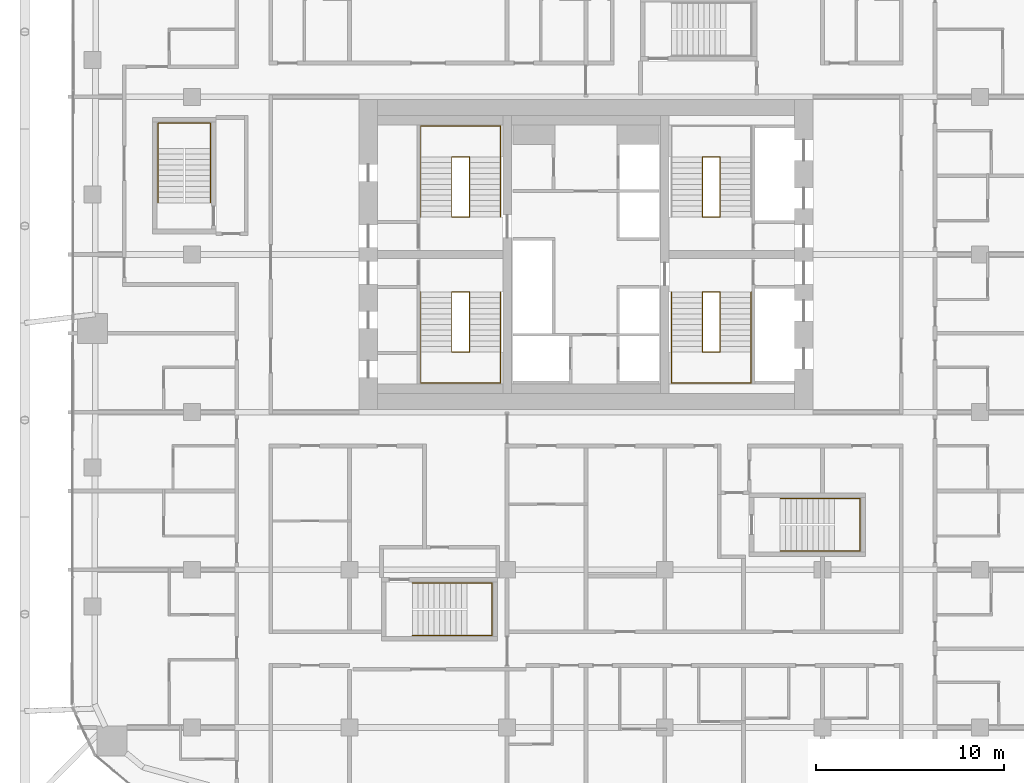
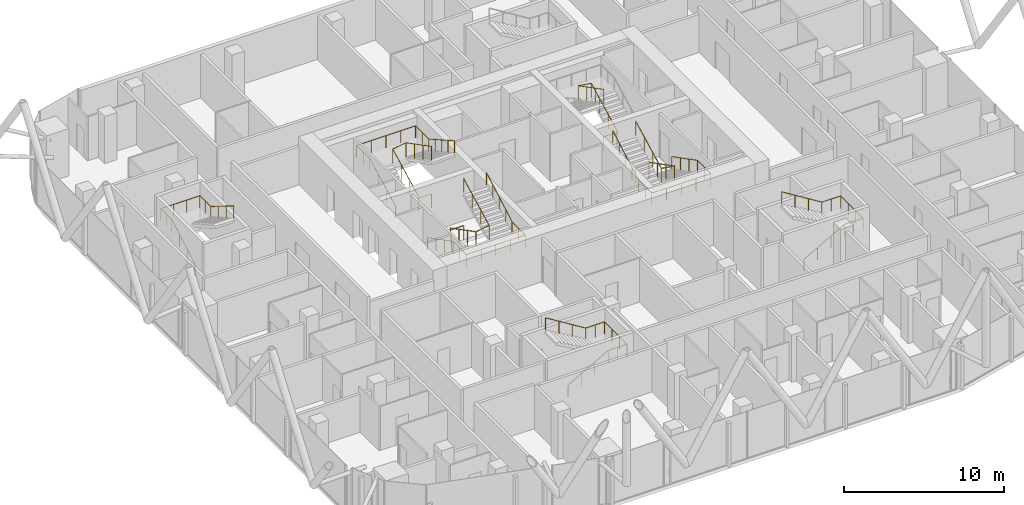
# One storey, part 35 of 36: 10 railings.
"""IFC4 building model written with IfcOpenShell, lengths in metres."""

from ifc_helpers import new_model, si_unit, direction, frame, origin, origin_2d, place, context, subcontext, project, spatial, circle, extrude, material, type_object, element, save


model = new_model("IFC4")

# Units and contexts
model_context = context("Model", 3, precision=1e-05, world=origin(), true_north=direction((0.0, 1.0)))
body_context = subcontext(model_context, "Body", "Model", "MODEL_VIEW")
ifc_project = project(units=[si_unit("LENGTHUNIT", "METRE"), si_unit("AREAUNIT", "SQUARE_METRE"), si_unit("VOLUMEUNIT", "CUBIC_METRE"), si_unit("PLANEANGLEUNIT", "RADIAN"), si_unit("MASSUNIT", "GRAM", prefix="KILO")], contexts=[model_context])

# Site, building, storey
site_placement = place(None, origin())
site = spatial("IfcSite", under=ifc_project, at=site_placement, CompositionType="ELEMENT")
building_placement = place(site_placement, origin())
building = spatial("IfcBuilding", under=site, at=building_placement, Name="Marenta Gate Hotel Tower", CompositionType="ELEMENT")
storey_placement = place(building_placement, frame((0.0, 0.0, 144.5)))
storey = spatial("IfcBuildingStorey", under=building, at=storey_placement, Name="L33", CompositionType="ELEMENT", Elevation=144.5)

# Railings
ifc_material_1 = material(Name="Stainless steel", Category="steel")
railing_type_1 = type_object("IfcRailingType", Name="Core stair handrail 950", PredefinedType="HANDRAIL", material=ifc_material_1)
railing_1_placement = place(storey_placement, frame((-8.800048828125, 6.39990234375, 0.14990234375)))
element("IfcRailing", 1, at=railing_1_placement, inside=storey, type_object=railing_type_1, Name="HR-950 L33-KR-ST1-1", PredefinedType="HANDRAIL", context=body_context, shape_type="SweptSolid", body=[
    extrude(circle(Radius=0.02392578125, at=origin_2d()), frame((0.0, 0.0, 0.92578125), z_axis=(0.0, -0.888197555067, 0.459461753765), x_axis=(1.0, 0.0, 0.0)), (0.0, 0.0, 1.0), 3.591552734375),
    extrude(circle(Radius=0.02392578125, at=origin_2d()), frame((0.0, -3.18994140625, 2.576171875), z_axis=(0.0, -1.0, 0.0), x_axis=(1.0, 0.0, 0.0)), (0.0, 0.0, 1.0), 1.659912109375),
    extrude(circle(Radius=0.02392578125, at=origin_2d()), frame((0.0, -4.849853515625, 2.576171875), z_axis=(1.0, 0.0, 0.0), x_axis=(0.0, 1.0, 0.0)), (0.0, 0.0, 1.0), 4.25),
    extrude(circle(Radius=0.02392578125, at=origin_2d()), frame((4.25, -4.849853515625, 2.576171875), z_axis=(0.0, 1.0, 0.0), x_axis=(-1.0, 0.0, 0.0)), (0.0, 0.0, 1.0), 1.659912109375),
    extrude(circle(Radius=0.02392578125, at=origin_2d()), frame((4.25, -3.18994140625, 2.576171875), z_axis=(0.0, 0.87090897868, 0.491444351738), x_axis=(-1.0, 0.0, 0.0)), (0.0, 0.0, 1.0), 3.662841796875),
    extrude(circle(Radius=0.02099609375, at=origin_2d()), origin(), (0.0, 0.0, 1.0), 0.90185546875),
    extrude(circle(Radius=0.02099609375, at=origin_2d()), frame((0.0, -1.063232421875, 0.550048828125)), (0.0, 0.0, 1.0), 0.90185546875),
    extrude(circle(Radius=0.02099609375, at=origin_2d()), frame((0.0, -2.126708984375, 1.10009765625)), (0.0, 0.0, 1.0), 0.90185546875),
    extrude(circle(Radius=0.02099609375, at=origin_2d()), frame((0.0, -3.18994140625, 1.650146484375)), (0.0, 0.0, 1.0), 0.90185546875),
    extrude(circle(Radius=0.02099609375, at=origin_2d()), frame((0.0, -4.02001953125, 1.650146484375)), (0.0, 0.0, 1.0), 0.90185546875),
    extrude(circle(Radius=0.02099609375, at=origin_2d()), frame((0.0, -4.849853515625, 1.650146484375)), (0.0, 0.0, 1.0), 0.90185546875),
    extrude(circle(Radius=0.02099609375, at=origin_2d()), frame((1.0625, -4.849853515625, 1.650146484375)), (0.0, 0.0, 1.0), 0.90185546875),
    extrude(circle(Radius=0.02099609375, at=origin_2d()), frame((2.125, -4.849853515625, 1.650146484375)), (0.0, 0.0, 1.0), 0.90185546875),
    extrude(circle(Radius=0.02099609375, at=origin_2d()), frame((3.1875, -4.849853515625, 1.650146484375)), (0.0, 0.0, 1.0), 0.90185546875),
    extrude(circle(Radius=0.02099609375, at=origin_2d()), frame((4.25, -4.849853515625, 1.650146484375)), (0.0, 0.0, 1.0), 0.90185546875),
    extrude(circle(Radius=0.02099609375, at=origin_2d()), frame((4.25, -4.02001953125, 1.650146484375)), (0.0, 0.0, 1.0), 0.90185546875),
    extrude(circle(Radius=0.02099609375, at=origin_2d()), frame((4.25, -3.18994140625, 1.650146484375)), (0.0, 0.0, 1.0), 0.90185546875),
    extrude(circle(Radius=0.02099609375, at=origin_2d()), frame((4.25, -2.392578125, 2.10009765625)), (0.0, 0.0, 1.0), 0.90185546875),
    extrude(circle(Radius=0.02099609375, at=origin_2d()), frame((4.25, -1.594970703125, 2.55029296875)), (0.0, 0.0, 1.0), 0.90185546875),
    extrude(circle(Radius=0.02099609375, at=origin_2d()), frame((4.25, -0.79736328125, 3.000244140625)), (0.0, 0.0, 1.0), 0.90185546875),
    extrude(circle(Radius=0.02099609375, at=origin_2d()), frame((4.25, 0.0, 3.4501953125)), (0.0, 0.0, 1.0), 0.90185546875),
])
railing_2_placement = place(storey_placement, frame((-8.800048828125, 10.39990234375, 0.14990234375)))
element("IfcRailing", 2, at=railing_2_placement, inside=storey, type_object=railing_type_1, Name="HR-950 L33-KR-ST2-1", PredefinedType="HANDRAIL", context=body_context, shape_type="SweptSolid", body=[
    extrude(circle(Radius=0.02392578125, at=origin_2d()), frame((0.0, 0.0, 0.92578125), z_axis=(0.0, 0.888211904222, 0.459434013977), x_axis=(-1.0, 0.0, 0.0)), (0.0, 0.0, 1.0), 3.591796875),
    extrude(circle(Radius=0.02392578125, at=origin_2d()), frame((0.0, 3.190185546875, 2.576171875), z_axis=(0.0, 1.0, 0.0), x_axis=(-1.0, 0.0, 0.0)), (0.0, 0.0, 1.0), 1.659912109375),
    extrude(circle(Radius=0.02392578125, at=origin_2d()), frame((0.0, 4.85009765625, 2.576171875), z_axis=(1.0, 0.0, 0.0), x_axis=(0.0, 1.0, 0.0)), (0.0, 0.0, 1.0), 4.25),
    extrude(circle(Radius=0.02392578125, at=origin_2d()), frame((4.25, 4.85009765625, 2.576171875), z_axis=(0.0, -1.0, 0.0), x_axis=(1.0, 0.0, 0.0)), (0.0, 0.0, 1.0), 1.659912109375),
    extrude(circle(Radius=0.02392578125, at=origin_2d()), frame((4.25, 3.190185546875, 2.576171875), z_axis=(0.0, -0.870925075533, 0.491415824742), x_axis=(1.0, 0.0, 0.0)), (0.0, 0.0, 1.0), 3.6630859375),
    extrude(circle(Radius=0.02099609375, at=origin_2d()), origin(), (0.0, 0.0, 1.0), 0.90185546875),
    extrude(circle(Radius=0.02099609375, at=origin_2d()), frame((0.0, 1.0634765625, 0.550048828125)), (0.0, 0.0, 1.0), 0.90185546875),
    extrude(circle(Radius=0.02099609375, at=origin_2d()), frame((0.0, 2.126708984375, 1.10009765625)), (0.0, 0.0, 1.0), 0.90185546875),
    extrude(circle(Radius=0.02099609375, at=origin_2d()), frame((0.0, 3.190185546875, 1.650146484375)), (0.0, 0.0, 1.0), 0.90185546875),
    extrude(circle(Radius=0.02099609375, at=origin_2d()), frame((0.0, 4.02001953125, 1.650146484375)), (0.0, 0.0, 1.0), 0.90185546875),
    extrude(circle(Radius=0.02099609375, at=origin_2d()), frame((0.0, 4.85009765625, 1.650146484375)), (0.0, 0.0, 1.0), 0.90185546875),
    extrude(circle(Radius=0.02099609375, at=origin_2d()), frame((1.0625, 4.85009765625, 1.650146484375)), (0.0, 0.0, 1.0), 0.90185546875),
    extrude(circle(Radius=0.02099609375, at=origin_2d()), frame((2.125, 4.85009765625, 1.650146484375)), (0.0, 0.0, 1.0), 0.90185546875),
    extrude(circle(Radius=0.02099609375, at=origin_2d()), frame((3.1875, 4.85009765625, 1.650146484375)), (0.0, 0.0, 1.0), 0.90185546875),
    extrude(circle(Radius=0.02099609375, at=origin_2d()), frame((4.25, 4.85009765625, 1.650146484375)), (0.0, 0.0, 1.0), 0.90185546875),
    extrude(circle(Radius=0.02099609375, at=origin_2d()), frame((4.25, 4.02001953125, 1.650146484375)), (0.0, 0.0, 1.0), 0.90185546875),
    extrude(circle(Radius=0.02099609375, at=origin_2d()), frame((4.25, 3.190185546875, 1.650146484375)), (0.0, 0.0, 1.0), 0.90185546875),
    extrude(circle(Radius=0.02099609375, at=origin_2d()), frame((4.25, 2.392578125, 2.10009765625)), (0.0, 0.0, 1.0), 0.90185546875),
    extrude(circle(Radius=0.02099609375, at=origin_2d()), frame((4.25, 1.59521484375, 2.55029296875)), (0.0, 0.0, 1.0), 0.90185546875),
    extrude(circle(Radius=0.02099609375, at=origin_2d()), frame((4.25, 0.797607421875, 3.000244140625)), (0.0, 0.0, 1.0), 0.90185546875),
    extrude(circle(Radius=0.02099609375, at=origin_2d()), frame((4.25, 0.0, 3.4501953125)), (0.0, 0.0, 1.0), 0.90185546875),
])
railing_3_placement = place(storey_placement, frame((8.800048828125, 6.39990234375, 0.14990234375)))
element("IfcRailing", 3, at=railing_3_placement, inside=storey, type_object=railing_type_1, Name="HR-950 L33-KR-ST3-1", PredefinedType="HANDRAIL", context=body_context, shape_type="SweptSolid", body=[
    extrude(circle(Radius=0.02392578125, at=origin_2d()), frame((0.0, 0.0, 0.92578125), z_axis=(0.0, -0.888197555067, 0.459461753765), x_axis=(1.0, 0.0, 0.0)), (0.0, 0.0, 1.0), 3.591552734375),
    extrude(circle(Radius=0.02392578125, at=origin_2d()), frame((0.0, -3.18994140625, 2.576171875), z_axis=(0.0, -1.0, 0.0), x_axis=(1.0, 0.0, 0.0)), (0.0, 0.0, 1.0), 1.659912109375),
    extrude(circle(Radius=0.02392578125, at=origin_2d()), frame((0.0, -4.849853515625, 2.576171875), z_axis=(-1.0, 0.0, 0.0), x_axis=(0.0, -1.0, 0.0)), (0.0, 0.0, 1.0), 4.25),
    extrude(circle(Radius=0.02392578125, at=origin_2d()), frame((-4.25, -4.849853515625, 2.576171875), z_axis=(0.0, 1.0, 0.0), x_axis=(-1.0, 0.0, 0.0)), (0.0, 0.0, 1.0), 1.659912109375),
    extrude(circle(Radius=0.02392578125, at=origin_2d()), frame((-4.25, -3.18994140625, 2.576171875), z_axis=(0.0, 0.87090897868, 0.491444351738), x_axis=(-1.0, 0.0, 0.0)), (0.0, 0.0, 1.0), 3.662841796875),
    extrude(circle(Radius=0.02099609375, at=origin_2d()), origin(), (0.0, 0.0, 1.0), 0.90185546875),
    extrude(circle(Radius=0.02099609375, at=origin_2d()), frame((0.0, -1.063232421875, 0.550048828125)), (0.0, 0.0, 1.0), 0.90185546875),
    extrude(circle(Radius=0.02099609375, at=origin_2d()), frame((0.0, -2.126708984375, 1.10009765625)), (0.0, 0.0, 1.0), 0.90185546875),
    extrude(circle(Radius=0.02099609375, at=origin_2d()), frame((0.0, -3.18994140625, 1.650146484375)), (0.0, 0.0, 1.0), 0.90185546875),
    extrude(circle(Radius=0.02099609375, at=origin_2d()), frame((0.0, -4.02001953125, 1.650146484375)), (0.0, 0.0, 1.0), 0.90185546875),
    extrude(circle(Radius=0.02099609375, at=origin_2d()), frame((0.0, -4.849853515625, 1.650146484375)), (0.0, 0.0, 1.0), 0.90185546875),
    extrude(circle(Radius=0.02099609375, at=origin_2d()), frame((-1.0625, -4.849853515625, 1.650146484375)), (0.0, 0.0, 1.0), 0.90185546875),
    extrude(circle(Radius=0.02099609375, at=origin_2d()), frame((-2.125, -4.849853515625, 1.650146484375)), (0.0, 0.0, 1.0), 0.90185546875),
    extrude(circle(Radius=0.02099609375, at=origin_2d()), frame((-3.1875, -4.849853515625, 1.650146484375)), (0.0, 0.0, 1.0), 0.90185546875),
    extrude(circle(Radius=0.02099609375, at=origin_2d()), frame((-4.25, -4.849853515625, 1.650146484375)), (0.0, 0.0, 1.0), 0.90185546875),
    extrude(circle(Radius=0.02099609375, at=origin_2d()), frame((-4.25, -4.02001953125, 1.650146484375)), (0.0, 0.0, 1.0), 0.90185546875),
    extrude(circle(Radius=0.02099609375, at=origin_2d()), frame((-4.25, -3.18994140625, 1.650146484375)), (0.0, 0.0, 1.0), 0.90185546875),
    extrude(circle(Radius=0.02099609375, at=origin_2d()), frame((-4.25, -2.392578125, 2.10009765625)), (0.0, 0.0, 1.0), 0.90185546875),
    extrude(circle(Radius=0.02099609375, at=origin_2d()), frame((-4.25, -1.594970703125, 2.55029296875)), (0.0, 0.0, 1.0), 0.90185546875),
    extrude(circle(Radius=0.02099609375, at=origin_2d()), frame((-4.25, -0.79736328125, 3.000244140625)), (0.0, 0.0, 1.0), 0.90185546875),
    extrude(circle(Radius=0.02099609375, at=origin_2d()), frame((-4.25, 0.0, 3.4501953125)), (0.0, 0.0, 1.0), 0.90185546875),
])
railing_4_placement = place(storey_placement, frame((-22.800048828125, 11.14990234375, 0.16357421875)))
element("IfcRailing", 4, at=railing_4_placement, inside=storey, type_object=railing_type_1, Name="HR-950 L33-RS-Z1-3-KR-1", PredefinedType="HANDRAIL", context=body_context, shape_type="SweptSolid", body=[
    extrude(circle(Radius=0.02392578125, at=origin_2d()), frame((0.0, 0.0, 0.92578125), z_axis=(0.0, 0.870914908162, 0.491433843708), x_axis=(-1.0, 0.0, 0.0)), (0.0, 0.0, 1.0), 3.330078125),
    extrude(circle(Radius=0.02392578125, at=origin_2d()), frame((0.0, 2.900146484375, 2.5625), z_axis=(0.0, 1.0, 0.0), x_axis=(-1.0, 0.0, 0.0)), (0.0, 0.0, 1.0), 1.349853515625),
    extrude(circle(Radius=0.02392578125, at=origin_2d()), frame((0.0, 4.25, 2.5625), z_axis=(1.0, 0.0, 0.0), x_axis=(0.0, 1.0, 0.0)), (0.0, 0.0, 1.0), 2.800048828125),
    extrude(circle(Radius=0.02392578125, at=origin_2d()), frame((2.800048828125, 4.25, 2.5625), z_axis=(0.0, -1.0, 0.0), x_axis=(1.0, 0.0, 0.0)), (0.0, 0.0, 1.0), 1.349853515625),
    extrude(circle(Radius=0.02392578125, at=origin_2d()), frame((2.800048828125, 2.900146484375, 2.5625), z_axis=(0.0, -0.849645691689, 0.527353959494), x_axis=(1.0, 0.0, 0.0)), (0.0, 0.0, 1.0), 3.413330078125),
    extrude(circle(Radius=0.02099609375, at=origin_2d()), origin(), (0.0, 0.0, 1.0), 0.90185546875),
    extrude(circle(Radius=0.02099609375, at=origin_2d()), frame((0.0, 0.966796875, 0.54541015625)), (0.0, 0.0, 1.0), 0.90185546875),
    extrude(circle(Radius=0.02099609375, at=origin_2d()), frame((0.0, 1.933349609375, 1.091064453125)), (0.0, 0.0, 1.0), 0.90185546875),
    extrude(circle(Radius=0.02099609375, at=origin_2d()), frame((0.0, 2.900146484375, 1.636474609375)), (0.0, 0.0, 1.0), 0.90185546875),
    extrude(circle(Radius=0.02099609375, at=origin_2d()), frame((0.0, 3.5751953125, 1.636474609375)), (0.0, 0.0, 1.0), 0.90185546875),
    extrude(circle(Radius=0.02099609375, at=origin_2d()), frame((0.0, 4.25, 1.636474609375)), (0.0, 0.0, 1.0), 0.90185546875),
    extrude(circle(Radius=0.02099609375, at=origin_2d()), frame((0.933349609375, 4.25, 1.636474609375)), (0.0, 0.0, 1.0), 0.90185546875),
    extrude(circle(Radius=0.02099609375, at=origin_2d()), frame((1.86669921875, 4.25, 1.636474609375)), (0.0, 0.0, 1.0), 0.90185546875),
    extrude(circle(Radius=0.02099609375, at=origin_2d()), frame((2.800048828125, 4.25, 1.636474609375)), (0.0, 0.0, 1.0), 0.90185546875),
    extrude(circle(Radius=0.02099609375, at=origin_2d()), frame((2.800048828125, 3.5751953125, 1.636474609375)), (0.0, 0.0, 1.0), 0.90185546875),
    extrude(circle(Radius=0.02099609375, at=origin_2d()), frame((2.800048828125, 2.900146484375, 1.636474609375)), (0.0, 0.0, 1.0), 0.90185546875),
    extrude(circle(Radius=0.02099609375, at=origin_2d()), frame((2.800048828125, 1.933349609375, 2.236572265625)), (0.0, 0.0, 1.0), 0.90185546875),
    extrude(circle(Radius=0.02099609375, at=origin_2d()), frame((2.800048828125, 0.966796875, 2.83642578125)), (0.0, 0.0, 1.0), 0.90185546875),
    extrude(circle(Radius=0.02099609375, at=origin_2d()), frame((2.800048828125, 0.0, 3.4365234375)), (0.0, 0.0, 1.0), 0.90185546875),
])
railing_5_placement = place(storey_placement, frame((-9.25, -11.89990234375, 0.16357421875)))
element("IfcRailing", 5, at=railing_5_placement, inside=storey, type_object=railing_type_1, Name="HR-950 L33-RS-Z2-1-KR-1", PredefinedType="HANDRAIL", context=body_context, shape_type="SweptSolid", body=[
    extrude(circle(Radius=0.02392578125, at=origin_2d()), frame((0.0, 0.0, 0.92578125), z_axis=(0.870897200241, 0.0, 0.491465224214), x_axis=(0.0, 1.0, 0.0)), (0.0, 0.0, 1.0), 3.329833984375),
    extrude(circle(Radius=0.02392578125, at=origin_2d()), frame((2.89990234375, 0.0, 2.5625), z_axis=(1.0, 0.0, 0.0), x_axis=(0.0, 1.0, 0.0)), (0.0, 0.0, 1.0), 1.35009765625),
    extrude(circle(Radius=0.02392578125, at=origin_2d()), frame((4.25, 0.0, 2.5625), z_axis=(0.0, 1.0, 0.0), x_axis=(-1.0, 0.0, 0.0)), (0.0, 0.0, 1.0), 2.7998046875),
    extrude(circle(Radius=0.02392578125, at=origin_2d()), frame((4.25, 2.7998046875, 2.5625), z_axis=(-1.0, 0.0, 0.0), x_axis=(0.0, -1.0, 0.0)), (0.0, 0.0, 1.0), 1.35009765625),
    extrude(circle(Radius=0.02392578125, at=origin_2d()), frame((2.89990234375, 2.7998046875, 2.5625), z_axis=(-0.849625798611, 0.0, 0.527386008853), x_axis=(0.0, -1.0, 0.0)), (0.0, 0.0, 1.0), 3.4130859375),
    extrude(circle(Radius=0.02099609375, at=origin_2d()), origin(), (0.0, 0.0, 1.0), 0.90185546875),
    extrude(circle(Radius=0.02099609375, at=origin_2d()), frame((0.966552734375, 0.0, 0.54541015625)), (0.0, 0.0, 1.0), 0.90185546875),
    extrude(circle(Radius=0.02099609375, at=origin_2d()), frame((1.933349609375, 0.0, 1.091064453125)), (0.0, 0.0, 1.0), 0.90185546875),
    extrude(circle(Radius=0.02099609375, at=origin_2d()), frame((2.89990234375, 0.0, 1.636474609375)), (0.0, 0.0, 1.0), 0.90185546875),
    extrude(circle(Radius=0.02099609375, at=origin_2d()), frame((3.574951171875, 0.0, 1.636474609375)), (0.0, 0.0, 1.0), 0.90185546875),
    extrude(circle(Radius=0.02099609375, at=origin_2d()), frame((4.25, 0.0, 1.636474609375)), (0.0, 0.0, 1.0), 0.90185546875),
    extrude(circle(Radius=0.02099609375, at=origin_2d()), frame((4.25, 0.933349609375, 1.636474609375)), (0.0, 0.0, 1.0), 0.90185546875),
    extrude(circle(Radius=0.02099609375, at=origin_2d()), frame((4.25, 1.866455078125, 1.636474609375)), (0.0, 0.0, 1.0), 0.90185546875),
    extrude(circle(Radius=0.02099609375, at=origin_2d()), frame((4.25, 2.7998046875, 1.636474609375)), (0.0, 0.0, 1.0), 0.90185546875),
    extrude(circle(Radius=0.02099609375, at=origin_2d()), frame((3.574951171875, 2.7998046875, 1.636474609375)), (0.0, 0.0, 1.0), 0.90185546875),
    extrude(circle(Radius=0.02099609375, at=origin_2d()), frame((2.89990234375, 2.7998046875, 1.636474609375)), (0.0, 0.0, 1.0), 0.90185546875),
    extrude(circle(Radius=0.02099609375, at=origin_2d()), frame((1.933349609375, 2.7998046875, 2.236572265625)), (0.0, 0.0, 1.0), 0.90185546875),
    extrude(circle(Radius=0.02099609375, at=origin_2d()), frame((0.966552734375, 2.7998046875, 2.83642578125)), (0.0, 0.0, 1.0), 0.90185546875),
    extrude(circle(Radius=0.02099609375, at=origin_2d()), frame((0.0, 2.7998046875, 3.4365234375)), (0.0, 0.0, 1.0), 0.90185546875),
])
railing_6_placement = place(storey_placement, frame((10.35009765625, -7.39990234375, 0.16357421875)))
element("IfcRailing", 6, at=railing_6_placement, inside=storey, type_object=railing_type_1, Name="HR-950 L33-RS-Z2-2-KR-1", PredefinedType="HANDRAIL", context=body_context, shape_type="SweptSolid", body=[
    extrude(circle(Radius=0.02392578125, at=origin_2d()), frame((0.0, 0.0, 0.92578125), z_axis=(0.870897200241, 0.0, 0.491465224214), x_axis=(0.0, 1.0, 0.0)), (0.0, 0.0, 1.0), 3.329833984375),
    extrude(circle(Radius=0.02392578125, at=origin_2d()), frame((2.89990234375, 0.0, 2.5625), z_axis=(1.0, 0.0, 0.0), x_axis=(0.0, 1.0, 0.0)), (0.0, 0.0, 1.0), 1.35009765625),
    extrude(circle(Radius=0.02392578125, at=origin_2d()), frame((4.25, 0.0, 2.5625), z_axis=(0.0, 1.0, 0.0), x_axis=(-1.0, 0.0, 0.0)), (0.0, 0.0, 1.0), 2.7998046875),
    extrude(circle(Radius=0.02392578125, at=origin_2d()), frame((4.25, 2.7998046875, 2.5625), z_axis=(-1.0, 0.0, 0.0), x_axis=(0.0, -1.0, 0.0)), (0.0, 0.0, 1.0), 1.35009765625),
    extrude(circle(Radius=0.02392578125, at=origin_2d()), frame((2.89990234375, 2.7998046875, 2.5625), z_axis=(-0.849625798611, 0.0, 0.527386008853), x_axis=(0.0, -1.0, 0.0)), (0.0, 0.0, 1.0), 3.4130859375),
    extrude(circle(Radius=0.02099609375, at=origin_2d()), origin(), (0.0, 0.0, 1.0), 0.90185546875),
    extrude(circle(Radius=0.02099609375, at=origin_2d()), frame((0.966552734375, 0.0, 0.54541015625)), (0.0, 0.0, 1.0), 0.90185546875),
    extrude(circle(Radius=0.02099609375, at=origin_2d()), frame((1.933349609375, 0.0, 1.091064453125)), (0.0, 0.0, 1.0), 0.90185546875),
    extrude(circle(Radius=0.02099609375, at=origin_2d()), frame((2.89990234375, 0.0, 1.636474609375)), (0.0, 0.0, 1.0), 0.90185546875),
    extrude(circle(Radius=0.02099609375, at=origin_2d()), frame((3.574951171875, 0.0, 1.636474609375)), (0.0, 0.0, 1.0), 0.90185546875),
    extrude(circle(Radius=0.02099609375, at=origin_2d()), frame((4.25, 0.0, 1.636474609375)), (0.0, 0.0, 1.0), 0.90185546875),
    extrude(circle(Radius=0.02099609375, at=origin_2d()), frame((4.25, 0.933349609375, 1.636474609375)), (0.0, 0.0, 1.0), 0.90185546875),
    extrude(circle(Radius=0.02099609375, at=origin_2d()), frame((4.25, 1.866455078125, 1.636474609375)), (0.0, 0.0, 1.0), 0.90185546875),
    extrude(circle(Radius=0.02099609375, at=origin_2d()), frame((4.25, 2.7998046875, 1.636474609375)), (0.0, 0.0, 1.0), 0.90185546875),
    extrude(circle(Radius=0.02099609375, at=origin_2d()), frame((3.574951171875, 2.7998046875, 1.636474609375)), (0.0, 0.0, 1.0), 0.90185546875),
    extrude(circle(Radius=0.02099609375, at=origin_2d()), frame((2.89990234375, 2.7998046875, 1.636474609375)), (0.0, 0.0, 1.0), 0.90185546875),
    extrude(circle(Radius=0.02099609375, at=origin_2d()), frame((1.933349609375, 2.7998046875, 2.236572265625)), (0.0, 0.0, 1.0), 0.90185546875),
    extrude(circle(Radius=0.02099609375, at=origin_2d()), frame((0.966552734375, 2.7998046875, 2.83642578125)), (0.0, 0.0, 1.0), 0.90185546875),
    extrude(circle(Radius=0.02099609375, at=origin_2d()), frame((0.0, 2.7998046875, 3.4365234375)), (0.0, 0.0, 1.0), 0.90185546875),
])
ifc_material_2 = material(Name="Stainless steel", Category="steel")
railing_type_2 = type_object("IfcRailingType", Name="Core stair well guard 1100", PredefinedType="GUARDRAIL", material=ifc_material_2)
railing_7_placement = place(storey_placement, frame((-6.199951171875, 6.39990234375, 0.0)))
element("IfcRailing", 7, at=railing_7_placement, inside=storey, type_object=railing_type_2, Name="GR-1100 L33-KR-ST1-2", PredefinedType="GUARDRAIL", context=body_context, shape_type="SweptSolid", body=[
    extrude(circle(Radius=0.02392578125, at=origin_2d()), frame((0.0, 0.0, 1.076171875), z_axis=(-1.0, 0.0, 0.0), x_axis=(0.0, -1.0, 0.0)), (0.0, 0.0, 1.0), 0.949951171875),
    extrude(circle(Radius=0.02392578125, at=origin_2d()), frame((-0.949951171875, 0.0, 1.076171875), z_axis=(0.0, 0.0, 1.0), x_axis=(1.0, 0.0, 0.0)), (0.0, 0.0, 1.0), 0.14990234375),
    extrude(circle(Radius=0.02392578125, at=origin_2d()), frame((-0.949951171875, 0.0, 1.22607421875), z_axis=(0.0, -0.888197555067, 0.459461753765), x_axis=(1.0, 0.0, 0.0)), (0.0, 0.0, 1.0), 3.591552734375),
    extrude(circle(Radius=0.02392578125, at=origin_2d()), frame((-0.949951171875, -3.18994140625, 2.8759765625), z_axis=(0.987777369502, 0.0, 0.15587131968), x_axis=(0.0, 1.0, 0.0)), (0.0, 0.0, 1.0), 0.961669921875),
    extrude(circle(Radius=0.02392578125, at=origin_2d()), frame((0.0, -3.18994140625, 3.02587890625), z_axis=(0.0, 0.888197555067, 0.459461753765), x_axis=(-1.0, 0.0, 0.0)), (0.0, 0.0, 1.0), 3.591552734375),
    extrude(circle(Radius=0.02099609375, at=origin_2d()), origin(), (0.0, 0.0, 1.0), 1.052001953125),
    extrude(circle(Radius=0.02099609375, at=origin_2d()), frame((-0.949951171875, 0.0, 0.0)), (0.0, 0.0, 1.0), 1.052001953125),
    extrude(circle(Radius=0.02099609375, at=origin_2d()), frame((-0.949951171875, 0.0, 0.14990234375)), (0.0, 0.0, 1.0), 1.052001953125),
    extrude(circle(Radius=0.02099609375, at=origin_2d()), frame((-0.949951171875, -1.063232421875, 0.699951171875)), (0.0, 0.0, 1.0), 1.052001953125),
    extrude(circle(Radius=0.02099609375, at=origin_2d()), frame((-0.949951171875, -2.126708984375, 1.25)), (0.0, 0.0, 1.0), 1.052001953125),
    extrude(circle(Radius=0.02099609375, at=origin_2d()), frame((-0.949951171875, -3.18994140625, 1.800048828125)), (0.0, 0.0, 1.0), 1.052001953125),
    extrude(circle(Radius=0.02099609375, at=origin_2d()), frame((0.0, -3.18994140625, 1.949951171875)), (0.0, 0.0, 1.0), 1.052001953125),
    extrude(circle(Radius=0.02099609375, at=origin_2d()), frame((0.0, -2.126708984375, 2.5)), (0.0, 0.0, 1.0), 1.052001953125),
    extrude(circle(Radius=0.02099609375, at=origin_2d()), frame((0.0, -1.063232421875, 3.050048828125)), (0.0, 0.0, 1.0), 1.052001953125),
    extrude(circle(Radius=0.02099609375, at=origin_2d()), frame((0.0, 0.0, 3.60009765625)), (0.0, 0.0, 1.0), 1.052001953125),
])
railing_8_placement = place(storey_placement, frame((-6.199951171875, 10.39990234375, 0.0)))
element("IfcRailing", 8, at=railing_8_placement, inside=storey, type_object=railing_type_2, Name="GR-1100 L33-KR-ST2-2", PredefinedType="GUARDRAIL", context=body_context, shape_type="SweptSolid", body=[
    extrude(circle(Radius=0.02392578125, at=origin_2d()), frame((0.0, 0.0, 1.076171875), z_axis=(-1.0, 0.0, 0.0), x_axis=(0.0, -1.0, 0.0)), (0.0, 0.0, 1.0), 0.949951171875),
    extrude(circle(Radius=0.02392578125, at=origin_2d()), frame((-0.949951171875, 0.0, 1.076171875), z_axis=(0.0, 0.0, 1.0), x_axis=(1.0, 0.0, 0.0)), (0.0, 0.0, 1.0), 0.14990234375),
    extrude(circle(Radius=0.02392578125, at=origin_2d()), frame((-0.949951171875, 0.0, 1.22607421875), z_axis=(0.0, 0.888211904222, 0.459434013977), x_axis=(-1.0, 0.0, 0.0)), (0.0, 0.0, 1.0), 3.591796875),
    extrude(circle(Radius=0.02392578125, at=origin_2d()), frame((-0.949951171875, 3.190185546875, 2.8759765625), z_axis=(0.987777369502, 0.0, 0.15587131968), x_axis=(0.0, 1.0, 0.0)), (0.0, 0.0, 1.0), 0.961669921875),
    extrude(circle(Radius=0.02392578125, at=origin_2d()), frame((0.0, 3.190185546875, 3.02587890625), z_axis=(0.0, -0.888211904222, 0.459434013977), x_axis=(1.0, 0.0, 0.0)), (0.0, 0.0, 1.0), 3.591796875),
    extrude(circle(Radius=0.02099609375, at=origin_2d()), origin(), (0.0, 0.0, 1.0), 1.052001953125),
    extrude(circle(Radius=0.02099609375, at=origin_2d()), frame((-0.949951171875, 0.0, 0.0)), (0.0, 0.0, 1.0), 1.052001953125),
    extrude(circle(Radius=0.02099609375, at=origin_2d()), frame((-0.949951171875, 0.0, 0.14990234375)), (0.0, 0.0, 1.0), 1.052001953125),
    extrude(circle(Radius=0.02099609375, at=origin_2d()), frame((-0.949951171875, 1.0634765625, 0.699951171875)), (0.0, 0.0, 1.0), 1.052001953125),
    extrude(circle(Radius=0.02099609375, at=origin_2d()), frame((-0.949951171875, 2.126708984375, 1.25)), (0.0, 0.0, 1.0), 1.052001953125),
    extrude(circle(Radius=0.02099609375, at=origin_2d()), frame((-0.949951171875, 3.190185546875, 1.800048828125)), (0.0, 0.0, 1.0), 1.052001953125),
    extrude(circle(Radius=0.02099609375, at=origin_2d()), frame((0.0, 3.190185546875, 1.949951171875)), (0.0, 0.0, 1.0), 1.052001953125),
    extrude(circle(Radius=0.02099609375, at=origin_2d()), frame((0.0, 2.126708984375, 2.5)), (0.0, 0.0, 1.0), 1.052001953125),
    extrude(circle(Radius=0.02099609375, at=origin_2d()), frame((0.0, 1.0634765625, 3.050048828125)), (0.0, 0.0, 1.0), 1.052001953125),
    extrude(circle(Radius=0.02099609375, at=origin_2d()), frame((0.0, 0.0, 3.60009765625)), (0.0, 0.0, 1.0), 1.052001953125),
])
railing_9_placement = place(storey_placement, frame((6.199951171875, 6.39990234375, 0.0)))
element("IfcRailing", 9, at=railing_9_placement, inside=storey, type_object=railing_type_2, Name="GR-1100 L33-KR-ST3-2", PredefinedType="GUARDRAIL", context=body_context, shape_type="SweptSolid", body=[
    extrude(circle(Radius=0.02392578125, at=origin_2d()), frame((0.0, 0.0, 1.076171875), z_axis=(1.0, 0.0, 0.0), x_axis=(0.0, 1.0, 0.0)), (0.0, 0.0, 1.0), 0.949951171875),
    extrude(circle(Radius=0.02392578125, at=origin_2d()), frame((0.949951171875, 0.0, 1.076171875), z_axis=(0.0, 0.0, 1.0), x_axis=(1.0, 0.0, 0.0)), (0.0, 0.0, 1.0), 0.14990234375),
    extrude(circle(Radius=0.02392578125, at=origin_2d()), frame((0.949951171875, 0.0, 1.22607421875), z_axis=(0.0, -0.888197555067, 0.459461753765), x_axis=(1.0, 0.0, 0.0)), (0.0, 0.0, 1.0), 3.591552734375),
    extrude(circle(Radius=0.02392578125, at=origin_2d()), frame((0.949951171875, -3.18994140625, 2.8759765625), z_axis=(-0.987777369502, 0.0, 0.15587131968), x_axis=(0.0, -1.0, 0.0)), (0.0, 0.0, 1.0), 0.961669921875),
    extrude(circle(Radius=0.02392578125, at=origin_2d()), frame((0.0, -3.18994140625, 3.02587890625), z_axis=(0.0, 0.888197555067, 0.459461753765), x_axis=(-1.0, 0.0, 0.0)), (0.0, 0.0, 1.0), 3.591552734375),
    extrude(circle(Radius=0.02099609375, at=origin_2d()), origin(), (0.0, 0.0, 1.0), 1.052001953125),
    extrude(circle(Radius=0.02099609375, at=origin_2d()), frame((0.949951171875, 0.0, 0.0)), (0.0, 0.0, 1.0), 1.052001953125),
    extrude(circle(Radius=0.02099609375, at=origin_2d()), frame((0.949951171875, 0.0, 0.14990234375)), (0.0, 0.0, 1.0), 1.052001953125),
    extrude(circle(Radius=0.02099609375, at=origin_2d()), frame((0.949951171875, -1.063232421875, 0.699951171875)), (0.0, 0.0, 1.0), 1.052001953125),
    extrude(circle(Radius=0.02099609375, at=origin_2d()), frame((0.949951171875, -2.126708984375, 1.25)), (0.0, 0.0, 1.0), 1.052001953125),
    extrude(circle(Radius=0.02099609375, at=origin_2d()), frame((0.949951171875, -3.18994140625, 1.800048828125)), (0.0, 0.0, 1.0), 1.052001953125),
    extrude(circle(Radius=0.02099609375, at=origin_2d()), frame((0.0, -3.18994140625, 1.949951171875)), (0.0, 0.0, 1.0), 1.052001953125),
    extrude(circle(Radius=0.02099609375, at=origin_2d()), frame((0.0, -2.126708984375, 2.5)), (0.0, 0.0, 1.0), 1.052001953125),
    extrude(circle(Radius=0.02099609375, at=origin_2d()), frame((0.0, -1.063232421875, 3.050048828125)), (0.0, 0.0, 1.0), 1.052001953125),
    extrude(circle(Radius=0.02099609375, at=origin_2d()), frame((0.0, 0.0, 3.60009765625)), (0.0, 0.0, 1.0), 1.052001953125),
])
railing_10_placement = place(storey_placement, frame((6.199951171875, 10.39990234375, 0.0)))
element("IfcRailing", 10, at=railing_10_placement, inside=storey, type_object=railing_type_2, Name="GR-1100 L33-KR-ST4-2", PredefinedType="GUARDRAIL", context=body_context, shape_type="SweptSolid", body=[
    extrude(circle(Radius=0.02392578125, at=origin_2d()), frame((0.0, 0.0, 1.076171875), z_axis=(1.0, 0.0, 0.0), x_axis=(0.0, 1.0, 0.0)), (0.0, 0.0, 1.0), 0.949951171875),
    extrude(circle(Radius=0.02392578125, at=origin_2d()), frame((0.949951171875, 0.0, 1.076171875), z_axis=(0.0, 0.0, 1.0), x_axis=(1.0, 0.0, 0.0)), (0.0, 0.0, 1.0), 0.14990234375),
    extrude(circle(Radius=0.02392578125, at=origin_2d()), frame((0.949951171875, 0.0, 1.22607421875), z_axis=(0.0, 0.888211904222, 0.459434013977), x_axis=(-1.0, 0.0, 0.0)), (0.0, 0.0, 1.0), 3.591796875),
    extrude(circle(Radius=0.02392578125, at=origin_2d()), frame((0.949951171875, 3.190185546875, 2.8759765625), z_axis=(-0.987777369502, 0.0, 0.15587131968), x_axis=(0.0, -1.0, 0.0)), (0.0, 0.0, 1.0), 0.961669921875),
    extrude(circle(Radius=0.02392578125, at=origin_2d()), frame((0.0, 3.190185546875, 3.02587890625), z_axis=(0.0, -0.888211904222, 0.459434013977), x_axis=(1.0, 0.0, 0.0)), (0.0, 0.0, 1.0), 3.591796875),
    extrude(circle(Radius=0.02099609375, at=origin_2d()), origin(), (0.0, 0.0, 1.0), 1.052001953125),
    extrude(circle(Radius=0.02099609375, at=origin_2d()), frame((0.949951171875, 0.0, 0.0)), (0.0, 0.0, 1.0), 1.052001953125),
    extrude(circle(Radius=0.02099609375, at=origin_2d()), frame((0.949951171875, 0.0, 0.14990234375)), (0.0, 0.0, 1.0), 1.052001953125),
    extrude(circle(Radius=0.02099609375, at=origin_2d()), frame((0.949951171875, 1.0634765625, 0.699951171875)), (0.0, 0.0, 1.0), 1.052001953125),
    extrude(circle(Radius=0.02099609375, at=origin_2d()), frame((0.949951171875, 2.126708984375, 1.25)), (0.0, 0.0, 1.0), 1.052001953125),
    extrude(circle(Radius=0.02099609375, at=origin_2d()), frame((0.949951171875, 3.190185546875, 1.800048828125)), (0.0, 0.0, 1.0), 1.052001953125),
    extrude(circle(Radius=0.02099609375, at=origin_2d()), frame((0.0, 3.190185546875, 1.949951171875)), (0.0, 0.0, 1.0), 1.052001953125),
    extrude(circle(Radius=0.02099609375, at=origin_2d()), frame((0.0, 2.126708984375, 2.5)), (0.0, 0.0, 1.0), 1.052001953125),
    extrude(circle(Radius=0.02099609375, at=origin_2d()), frame((0.0, 1.0634765625, 3.050048828125)), (0.0, 0.0, 1.0), 1.052001953125),
    extrude(circle(Radius=0.02099609375, at=origin_2d()), frame((0.0, 0.0, 3.60009765625)), (0.0, 0.0, 1.0), 1.052001953125),
])

save(model, "model.ifc")
